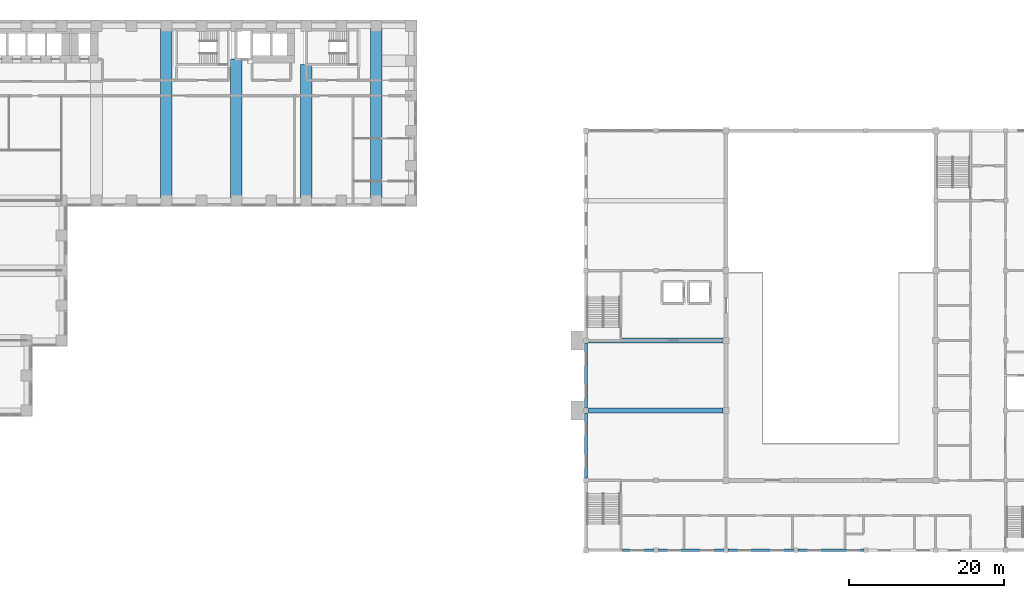
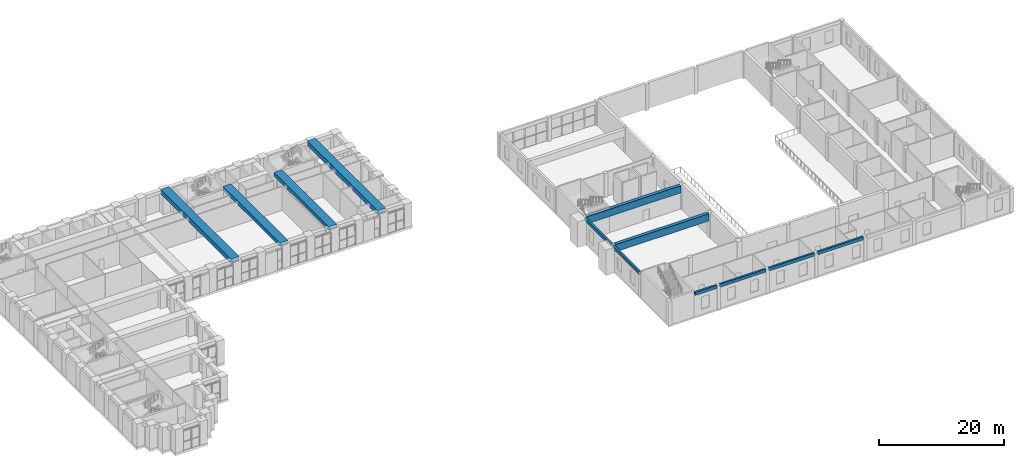
# One storey, part 7 of 34: 12 beams.
"""IFC4 building model written with IfcOpenShell, lengths in metres."""

from ifc_helpers import new_model, si_unit, direction, frame, origin, origin_2d, place, context, subcontext, project, spatial, rectangle, extrude, material, material_profile, profile_set, type_object, element, save


model = new_model("IFC4")

# Units and contexts
model_context = context("Model", 3, precision=1e-05, world=origin(), true_north=direction((0.0, 1.0)))
body_context = subcontext(model_context, "Body", "Model", "MODEL_VIEW")
ifc_project = project(units=[si_unit("LENGTHUNIT", "METRE"), si_unit("AREAUNIT", "SQUARE_METRE"), si_unit("VOLUMEUNIT", "CUBIC_METRE"), si_unit("PLANEANGLEUNIT", "RADIAN"), si_unit("MASSUNIT", "GRAM", prefix="KILO")], contexts=[model_context])

# Site, building, storey
site_placement = place(None, origin())
site = spatial("IfcSite", under=ifc_project, at=site_placement, CompositionType="ELEMENT")
building_placement = place(site_placement, origin())
building = spatial("IfcBuilding", under=site, at=building_placement, Name="Firuza Court", CompositionType="ELEMENT")
storey_placement = place(building_placement, frame((0.0, 0.0, 14.0)))
storey = spatial("IfcBuildingStorey", under=building, at=storey_placement, Name="L02", CompositionType="ELEMENT", Elevation=14.0)

# Beams
ifc_material_1 = material(Name="Concrete C40/50", Category="concrete")
ifc_material_profile_1 = material_profile(ifc_material_1, rectangle(XDim=1.5, YDim=0.699951171875, at=origin_2d()), Name="RC 1500x700")
ifc_profile_set_1 = profile_set([ifc_material_profile_1], Name="Concrete C40/50")
beam_type_1 = type_object("IfcBeamType", Name="Band beam RC 1500x700 C40/50", PredefinedType="BEAM", material=ifc_profile_set_1)
beam_1_placement = place(storey_placement, frame((45.0, 36.0, 4.25), z_axis=(0.0, 1.0, 0.0), x_axis=(-1.0, 0.0, 0.0)))
element("IfcBeam", 1, at=beam_1_placement, inside=storey, type_object=beam_type_1, Name="Band beam FB1 level L03", PredefinedType="BEAM", context=body_context, shape_type="SweptSolid", body=[
    extrude(rectangle(XDim=1.5, YDim=0.699951171875, at=origin_2d()), origin(), (0.0, 0.0, 1.0), 18.199951171875),
])
beam_2_placement = place(storey_placement, frame((54.0, 36.0, 4.25), z_axis=(0.0, 1.0, 0.0), x_axis=(-1.0, 0.0, 0.0)))
element("IfcBeam", 2, at=beam_2_placement, inside=storey, type_object=beam_type_1, Name="Band beam FB1 level L03", PredefinedType="BEAM", context=body_context, shape_type="SweptSolid", body=[
    extrude(rectangle(XDim=1.5, YDim=0.699951171875, at=origin_2d()), origin(), (0.0, 0.0, 1.0), 17.5),
])
ifc_material_2 = material(Name="Concrete C40/50", Category="concrete")
ifc_material_profile_2 = material_profile(ifc_material_2, rectangle(XDim=1.5, YDim=0.89990234375, at=origin_2d()), Name="RC 1500x900")
ifc_profile_set_2 = profile_set([ifc_material_profile_2], Name="Concrete C40/50")
beam_type_2 = type_object("IfcBeamType", Name="Band beam RC 1500x900 C40/50", PredefinedType="BEAM", material=ifc_profile_set_2)
for number, where, z_axis, x_axis, name in (
    (3, (36.0, 36.0, 4.14990234375), (0.0, 1.0, 0.0), (-1.0, 0.0, 0.0), "Band beam FB2 level L03"),
    (4, (63.0, 36.0, 4.14990234375), (0.0, 1.0, 0.0), (-1.0, 0.0, 0.0), "Band beam FB2 level L03"),
):
    element("IfcBeam", number, at=place(storey_placement, frame(where, z_axis=z_axis, x_axis=x_axis)), inside=storey, type_object=beam_type_2, Name=name, PredefinedType="BEAM", context=body_context, shape_type="SweptSolid", body=[
        extrude(rectangle(XDim=1.5, YDim=0.89990234375, at=origin_2d()), origin(), (0.0, 0.0, 1.0), 22.5),
    ])
ifc_material_3 = material(Name="Concrete C40/50", Category="concrete")
ifc_material_profile_3 = material_profile(ifc_material_3, rectangle(XDim=0.60009765625, YDim=1.39990234375, at=origin_2d()), Name="RC 600X1400")
ifc_profile_set_3 = profile_set([ifc_material_profile_3], Name="Concrete C40/50")
beam_type_3 = type_object("IfcBeamType", Name="RC GIRDER 600X1400", PredefinedType="BEAM", material=ifc_profile_set_3)
beam_3_placement = place(storey_placement, frame((90.300537109375, 9.0, 4.0), z_axis=(1.0, 0.0, 0.0), x_axis=(0.0, 1.0, 0.0)))
element("IfcBeam", 5, at=beam_3_placement, inside=storey, type_object=beam_type_3, Name="Girder 9 L02", PredefinedType="BEAM", context=body_context, shape_type="SweptSolid", body=[
    extrude(rectangle(XDim=0.60009765625, YDim=1.39990234375, at=origin_2d()), origin(), (0.0, 0.0, 1.0), 17.299072265625),
])
ifc_material_4 = material(Name="Concrete C40/50", Category="concrete")
ifc_material_profile_4 = material_profile(ifc_material_4, rectangle(XDim=0.35009765625, YDim=0.60009765625, at=origin_2d()), Name="RC 350X600")
ifc_profile_set_4 = profile_set([ifc_material_profile_4], Name="Concrete C40/50")
beam_type_4 = type_object("IfcBeamType", Name="RC RING BEAM 350X600", PredefinedType="BEAM", material=ifc_profile_set_4)
beam_4_placement = place(storey_placement, frame((94.699951171875, -9.0, 4.39990234375), z_axis=(1.0, 0.0, 0.0), x_axis=(0.0, 1.0, 0.0)))
element("IfcBeam", 6, at=beam_4_placement, inside=storey, type_object=beam_type_4, Name="Edge beam S1.1 L02", PredefinedType="BEAM", context=body_context, shape_type="SweptSolid", body=[
    extrude(rectangle(XDim=0.35009765625, YDim=0.60009765625, at=origin_2d()), origin(), (0.0, 0.0, 1.0), 4.0),
])
for number, where, z_axis, x_axis, name in (
    (7, (99.300048828125, -9.0, 4.39990234375), (1.0, 0.0, 0.0), (0.0, 1.0, 0.0), "Edge beam S3.1 L02"),
    (8, (108.300048828125, -9.0, 4.39990234375), (1.0, 0.0, 0.0), (0.0, 1.0, 0.0), "Edge beam S5.1 L02"),
    (9, (117.300048828125, -9.0, 4.39990234375), (1.0, 0.0, 0.0), (0.0, 1.0, 0.0), "Edge beam S7.1 L02"),
    (10, (90.0, 0.300048828125, 4.39990234375), (0.0, 1.0, 0.0), (-1.0, 0.0, 0.0), "Edge beam W3.1 L02"),
    (11, (90.0, 9.300048828125, 4.39990234375), (0.0, 1.0, 0.0), (-1.0, 0.0, 0.0), "Edge beam W5.1 L02"),
):
    element("IfcBeam", number, at=place(storey_placement, frame(where, z_axis=z_axis, x_axis=x_axis)), inside=storey, type_object=beam_type_4, Name=name, PredefinedType="BEAM", context=body_context, shape_type="SweptSolid", body=[
        extrude(rectangle(XDim=0.35009765625, YDim=0.60009765625, at=origin_2d()), origin(), (0.0, 0.0, 1.0), 8.39990234375),
    ])
ifc_material_5 = material(Name="Concrete C40/50", Category="concrete")
ifc_material_profile_5 = material_profile(ifc_material_5, rectangle(XDim=0.60009765625, YDim=1.39990234375, at=origin_2d()), Name="RC 600X1400")
ifc_profile_set_5 = profile_set([ifc_material_profile_5], Name="Concrete C40/50")
beam_type_5 = type_object("IfcBeamType", Name="RC WALL BEAM 600X1400", PredefinedType="BEAM", material=ifc_profile_set_5)
beam_5_placement = place(storey_placement, frame((90.300537109375, 18.0, 4.0), z_axis=(1.0, 0.0, 0.0), x_axis=(0.0, 1.0, 0.0)))
element("IfcBeam", 12, at=beam_5_placement, inside=storey, type_object=beam_type_5, Name="Girder 18 L02", PredefinedType="BEAM", context=body_context, shape_type="SweptSolid", body=[
    extrude(rectangle(XDim=0.60009765625, YDim=1.39990234375, at=origin_2d()), origin(), (0.0, 0.0, 1.0), 17.299072265625),
])

save(model, "model.ifc")
